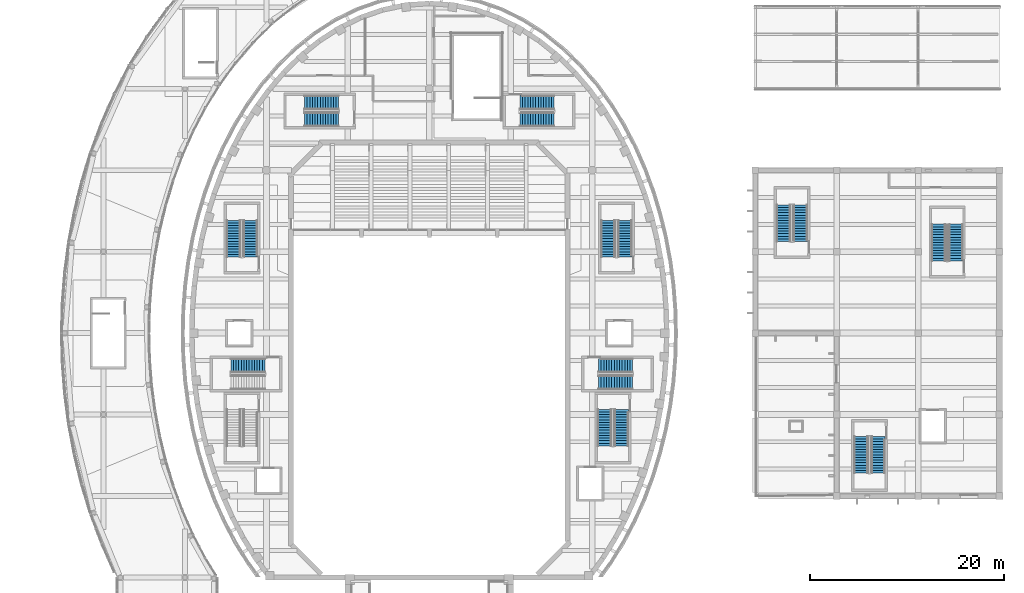
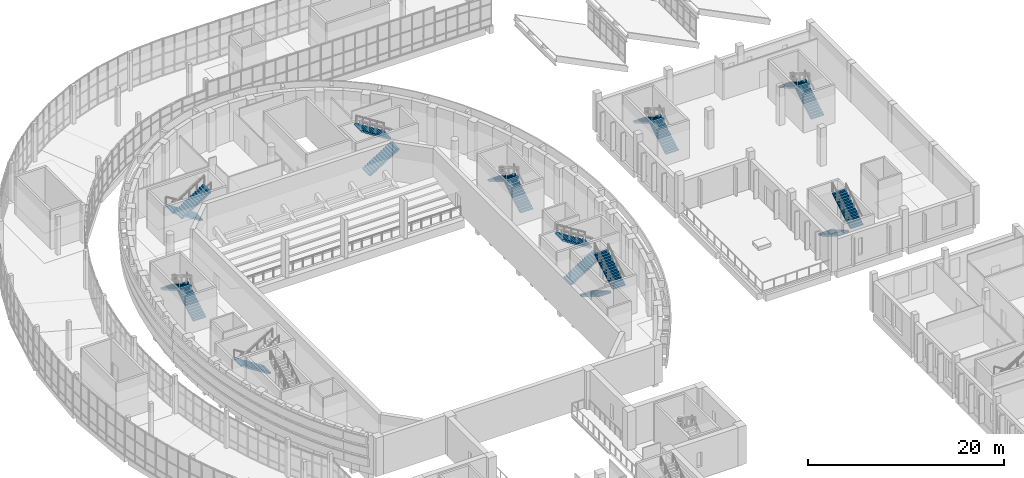
# One storey, part 65 of 103: 19 stair flights, 10 elements without a shape of their own.
"""IFC4 building model written with IfcOpenShell, lengths in metres."""

from ifc_helpers import new_model, si_unit, direction, frame, origin, place, context, subcontext, project, spatial, polyline, outline, extrude, material, type_object, element, aggregate, save


model = new_model("IFC4")

# Units and contexts
model_context = context("Model", 3, precision=1e-05, world=origin(), true_north=direction((0.0, 1.0)))
body_context = subcontext(model_context, "Body", "Model", "MODEL_VIEW")
ifc_project = project(units=[si_unit("LENGTHUNIT", "METRE"), si_unit("AREAUNIT", "SQUARE_METRE"), si_unit("VOLUMEUNIT", "CUBIC_METRE"), si_unit("PLANEANGLEUNIT", "RADIAN"), si_unit("MASSUNIT", "GRAM", prefix="KILO")], contexts=[model_context])

# Site, building, storey
site_placement = place(None, origin())
site = spatial("IfcSite", under=ifc_project, at=site_placement, CompositionType="ELEMENT")
building_placement = place(site_placement, origin())
building = spatial("IfcBuilding", under=site, at=building_placement, Name="Larchfold Concert Hall", CompositionType="ELEMENT")
storey_placement = place(building_placement, frame((0.0, 0.0, 9.60009765625)))
storey = spatial("IfcBuildingStorey", under=building, at=storey_placement, Name="L02", CompositionType="ELEMENT", Elevation=9.60009765625)

# Stair, stair flights
ifc_material_1 = material(Name="Concrete C35/45", Category="concrete")
stair_type = type_object("IfcStairType", Name="Stair RC half-turn enclosed", PredefinedType="HALF_TURN_STAIR", material=ifc_material_1)
stair_1_placement = place(storey_placement, origin())
stair_1 = element("IfcStair", 1, at=stair_1_placement, inside=storey, type_object=stair_type, Name="Stair DS1", PredefinedType="HALF_TURN_STAIR")
ifc_material_2 = material(Name="Concrete C35/45", Category="concrete")
stair_flight_type_1 = type_object("IfcStairFlightType", Name="Stair flight RC 1500 x 160.0", PredefinedType="STRAIGHT", material=ifc_material_2)
stair_flight_1_placement = place(storey_placement, frame((62.75, 92.449951171875, 0.0), z_axis=(0.0, 0.0, 1.0), x_axis=(0.0, 1.0, 0.0)))
stair_flight_1 = element("IfcStairFlight", 2, at=stair_flight_1_placement, type_object=stair_flight_type_1, Name="ST01 flight 1", NumberOfRisers=15, NumberOfTreads=14, PredefinedType="STRAIGHT", RiserHeight=0.16, TreadLength=0.27, context=body_context, shape_type="SweptSolid", body=[
    extrude(outline(polyline([(0.0, 0.0), (0.0, 0.159912109375), (0.27001953125, 0.159912109375), (0.27001953125, 0.320068359375), (0.5400390625, 0.320068359375), (0.5400390625, 0.47998046875), (0.81005859375, 0.47998046875), (0.81005859375, 0.639892578125), (1.080078125, 0.639892578125), (1.080078125, 0.800048828125), (1.35009765625, 0.800048828125), (1.35009765625, 0.9599609375), (1.6201171875, 0.9599609375), (1.6201171875, 1.1201171875), (1.889892578125, 1.1201171875), (1.889892578125, 1.280029296875), (2.159912109375, 1.280029296875), (2.159912109375, 1.43994140625), (2.429931640625, 1.43994140625), (2.429931640625, 1.60009765625), (2.699951171875, 1.60009765625), (2.699951171875, 1.760009765625), (2.969970703125, 1.760009765625), (2.969970703125, 1.919921875), (3.239990234375, 1.919921875), (3.239990234375, 2.080078125), (3.510009765625, 2.080078125), (3.510009765625, 2.239990234375), (3.780029296875, 2.239990234375), (3.780029296875, 2.39990234375), (3.780029296875, 2.065673828125), (0.2939453125, 0.0), (0.0, 0.0)])), frame((0.0, 0.75, 0.0), z_axis=(0.0, -1.0, 0.0), x_axis=(1.0, 0.0, 0.0)), (0.0, 0.0, 1.0), 1.5),
])
stair_flight_2_placement = place(storey_placement, frame((61.050048828125, 96.22998046875, 2.39990234375), z_axis=(0.0, 0.0, 1.0), x_axis=(0.0, -1.0, 0.0)))
stair_flight_2 = element("IfcStairFlight", 3, at=stair_flight_2_placement, type_object=stair_flight_type_1, Name="ST01 flight 2", NumberOfRisers=15, NumberOfTreads=14, PredefinedType="STRAIGHT", RiserHeight=0.16, TreadLength=0.27, context=body_context, shape_type="SweptSolid", body=[
    extrude(outline(polyline([(0.0, 0.0), (0.0, 0.159912109375), (0.27001953125, 0.159912109375), (0.27001953125, 0.320068359375), (0.5400390625, 0.320068359375), (0.5400390625, 0.47998046875), (0.81005859375, 0.47998046875), (0.81005859375, 0.639892578125), (1.080078125, 0.639892578125), (1.080078125, 0.800048828125), (1.35009765625, 0.800048828125), (1.35009765625, 0.9599609375), (1.6201171875, 0.9599609375), (1.6201171875, 1.1201171875), (1.889892578125, 1.1201171875), (1.889892578125, 1.280029296875), (2.159912109375, 1.280029296875), (2.159912109375, 1.43994140625), (2.429931640625, 1.43994140625), (2.429931640625, 1.60009765625), (2.699951171875, 1.60009765625), (2.699951171875, 1.760009765625), (2.969970703125, 1.760009765625), (2.969970703125, 1.919921875), (3.239990234375, 1.919921875), (3.239990234375, 2.080078125), (3.510009765625, 2.080078125), (3.510009765625, 2.239990234375), (3.780029296875, 2.239990234375), (3.780029296875, 2.39990234375), (3.780029296875, 2.065673828125), (0.2939453125, 0.0), (0.0, 0.0)])), frame((0.0, 0.75, 0.0), z_axis=(0.0, -1.0, 0.0), x_axis=(1.0, 0.0, 0.0)), (0.0, 0.0, 1.0), 1.5),
])
aggregate(stair_1, [stair_flight_1, stair_flight_2])

stair_2_placement = place(storey_placement, origin())
stair_2 = element("IfcStair", 4, at=stair_2_placement, inside=storey, type_object=stair_type, Name="Stair DS4", PredefinedType="HALF_TURN_STAIR")
stair_flight_3_placement = place(storey_placement, frame((24.14990234375, 92.449951171875, 0.0), z_axis=(0.0, 0.0, 1.0), x_axis=(0.0, 1.0, 0.0)))
stair_flight_3 = element("IfcStairFlight", 5, at=stair_flight_3_placement, type_object=stair_flight_type_1, Name="ST04 flight 1", NumberOfRisers=15, NumberOfTreads=14, PredefinedType="STRAIGHT", RiserHeight=0.16, TreadLength=0.27, context=body_context, shape_type="SweptSolid", body=[
    extrude(outline(polyline([(0.0, 0.0), (0.0, 0.159912109375), (0.27001953125, 0.159912109375), (0.27001953125, 0.320068359375), (0.5400390625, 0.320068359375), (0.5400390625, 0.47998046875), (0.81005859375, 0.47998046875), (0.81005859375, 0.639892578125), (1.080078125, 0.639892578125), (1.080078125, 0.800048828125), (1.35009765625, 0.800048828125), (1.35009765625, 0.9599609375), (1.6201171875, 0.9599609375), (1.6201171875, 1.1201171875), (1.889892578125, 1.1201171875), (1.889892578125, 1.280029296875), (2.159912109375, 1.280029296875), (2.159912109375, 1.43994140625), (2.429931640625, 1.43994140625), (2.429931640625, 1.60009765625), (2.699951171875, 1.60009765625), (2.699951171875, 1.760009765625), (2.969970703125, 1.760009765625), (2.969970703125, 1.919921875), (3.239990234375, 1.919921875), (3.239990234375, 2.080078125), (3.510009765625, 2.080078125), (3.510009765625, 2.239990234375), (3.780029296875, 2.239990234375), (3.780029296875, 2.39990234375), (3.780029296875, 2.065673828125), (0.2939453125, 0.0), (0.0, 0.0)])), frame((0.0, 0.75, 0.0), z_axis=(0.0, -1.0, 0.0), x_axis=(1.0, 0.0, 0.0)), (0.0, 0.0, 1.0), 1.5),
])
stair_flight_4_placement = place(storey_placement, frame((22.449951171875, 96.22998046875, 2.39990234375), z_axis=(0.0, 0.0, 1.0), x_axis=(0.0, -1.0, 0.0)))
stair_flight_4 = element("IfcStairFlight", 6, at=stair_flight_4_placement, type_object=stair_flight_type_1, Name="ST04 flight 2", NumberOfRisers=15, NumberOfTreads=14, PredefinedType="STRAIGHT", RiserHeight=0.16, TreadLength=0.27, context=body_context, shape_type="SweptSolid", body=[
    extrude(outline(polyline([(0.0, 0.0), (0.0, 0.159912109375), (0.27001953125, 0.159912109375), (0.27001953125, 0.320068359375), (0.5400390625, 0.320068359375), (0.5400390625, 0.47998046875), (0.81005859375, 0.47998046875), (0.81005859375, 0.639892578125), (1.080078125, 0.639892578125), (1.080078125, 0.800048828125), (1.35009765625, 0.800048828125), (1.35009765625, 0.9599609375), (1.6201171875, 0.9599609375), (1.6201171875, 1.1201171875), (1.889892578125, 1.1201171875), (1.889892578125, 1.280029296875), (2.159912109375, 1.280029296875), (2.159912109375, 1.43994140625), (2.429931640625, 1.43994140625), (2.429931640625, 1.60009765625), (2.699951171875, 1.60009765625), (2.699951171875, 1.760009765625), (2.969970703125, 1.760009765625), (2.969970703125, 1.919921875), (3.239990234375, 1.919921875), (3.239990234375, 2.080078125), (3.510009765625, 2.080078125), (3.510009765625, 2.239990234375), (3.780029296875, 2.239990234375), (3.780029296875, 2.39990234375), (3.780029296875, 2.065673828125), (0.2939453125, 0.0), (0.0, 0.0)])), frame((0.0, 0.75, 0.0), z_axis=(0.0, -1.0, 0.0), x_axis=(1.0, 0.0, 0.0)), (0.0, 0.0, 1.0), 1.5),
])
aggregate(stair_2, [stair_flight_3, stair_flight_4])

stair_3_placement = place(storey_placement, origin())
stair_3 = element("IfcStair", 7, at=stair_3_placement, inside=storey, type_object=stair_type, Name="Stair DS6", PredefinedType="HALF_TURN_STAIR")
stair_flight_5_placement = place(storey_placement, frame((60.699951171875, 76.75, 0.0), z_axis=(0.0, 0.0, 1.0), x_axis=(0.0, -1.0, 0.0)))
stair_flight_5 = element("IfcStairFlight", 8, at=stair_flight_5_placement, type_object=stair_flight_type_1, Name="ST06 flight 1", NumberOfRisers=15, NumberOfTreads=14, PredefinedType="STRAIGHT", RiserHeight=0.16, TreadLength=0.27, context=body_context, shape_type="SweptSolid", body=[
    extrude(outline(polyline([(0.0, 0.0), (0.0, 0.159912109375), (0.27001953125, 0.159912109375), (0.27001953125, 0.320068359375), (0.5400390625, 0.320068359375), (0.5400390625, 0.47998046875), (0.81005859375, 0.47998046875), (0.81005859375, 0.639892578125), (1.080078125, 0.639892578125), (1.080078125, 0.800048828125), (1.35009765625, 0.800048828125), (1.35009765625, 0.9599609375), (1.6201171875, 0.9599609375), (1.6201171875, 1.1201171875), (1.889892578125, 1.1201171875), (1.889892578125, 1.280029296875), (2.159912109375, 1.280029296875), (2.159912109375, 1.43994140625), (2.429931640625, 1.43994140625), (2.429931640625, 1.60009765625), (2.699951171875, 1.60009765625), (2.699951171875, 1.760009765625), (2.969970703125, 1.760009765625), (2.969970703125, 1.919921875), (3.239990234375, 1.919921875), (3.239990234375, 2.080078125), (3.510009765625, 2.080078125), (3.510009765625, 2.239990234375), (3.780029296875, 2.239990234375), (3.780029296875, 2.39990234375), (3.780029296875, 2.065673828125), (0.2939453125, 0.0), (0.0, 0.0)])), frame((0.0, 0.75, 0.0), z_axis=(0.0, -1.0, 0.0), x_axis=(1.0, 0.0, 0.0)), (0.0, 0.0, 1.0), 1.5),
])
stair_flight_6_placement = place(storey_placement, frame((62.39990234375, 72.969970703125, 2.39990234375), z_axis=(0.0, 0.0, 1.0), x_axis=(0.0, 1.0, 0.0)))
stair_flight_6 = element("IfcStairFlight", 9, at=stair_flight_6_placement, type_object=stair_flight_type_1, Name="ST06 flight 2", NumberOfRisers=15, NumberOfTreads=14, PredefinedType="STRAIGHT", RiserHeight=0.16, TreadLength=0.27, context=body_context, shape_type="SweptSolid", body=[
    extrude(outline(polyline([(0.0, 0.0), (0.0, 0.159912109375), (0.27001953125, 0.159912109375), (0.27001953125, 0.320068359375), (0.5400390625, 0.320068359375), (0.5400390625, 0.47998046875), (0.81005859375, 0.47998046875), (0.81005859375, 0.639892578125), (1.080078125, 0.639892578125), (1.080078125, 0.800048828125), (1.35009765625, 0.800048828125), (1.35009765625, 0.9599609375), (1.6201171875, 0.9599609375), (1.6201171875, 1.1201171875), (1.889892578125, 1.1201171875), (1.889892578125, 1.280029296875), (2.159912109375, 1.280029296875), (2.159912109375, 1.43994140625), (2.429931640625, 1.43994140625), (2.429931640625, 1.60009765625), (2.699951171875, 1.60009765625), (2.699951171875, 1.760009765625), (2.969970703125, 1.760009765625), (2.969970703125, 1.919921875), (3.239990234375, 1.919921875), (3.239990234375, 2.080078125), (3.510009765625, 2.080078125), (3.510009765625, 2.239990234375), (3.780029296875, 2.239990234375), (3.780029296875, 2.39990234375), (3.780029296875, 2.065673828125), (0.2939453125, 0.0), (0.0, 0.0)])), frame((0.0, 0.75, 0.0), z_axis=(0.0, -1.0, 0.0), x_axis=(1.0, 0.0, 0.0)), (0.0, 0.0, 1.0), 1.5),
])
aggregate(stair_3, [stair_flight_5, stair_flight_6])

stair_4_placement = place(storey_placement, origin())
stair_4 = element("IfcStair", 10, at=stair_4_placement, inside=storey, type_object=stair_type, Name="Stair CH1", PredefinedType="HALF_TURN_STAIR")
stair_flight_7_placement = place(storey_placement, frame((87.14990234375, 73.949951171875, 0.0), z_axis=(0.0, 0.0, 1.0), x_axis=(0.0, -1.0, 0.0)))
stair_flight_7 = element("IfcStairFlight", 11, at=stair_flight_7_placement, type_object=stair_flight_type_1, Name="ST16 flight 1", NumberOfRisers=15, NumberOfTreads=14, PredefinedType="STRAIGHT", RiserHeight=0.16, TreadLength=0.27, context=body_context, shape_type="SweptSolid", body=[
    extrude(outline(polyline([(0.0, 0.0), (0.0, 0.159912109375), (0.27001953125, 0.159912109375), (0.27001953125, 0.320068359375), (0.5400390625, 0.320068359375), (0.5400390625, 0.47998046875), (0.81005859375, 0.47998046875), (0.81005859375, 0.639892578125), (1.080078125, 0.639892578125), (1.080078125, 0.800048828125), (1.35009765625, 0.800048828125), (1.35009765625, 0.9599609375), (1.6201171875, 0.9599609375), (1.6201171875, 1.1201171875), (1.889892578125, 1.1201171875), (1.889892578125, 1.280029296875), (2.159912109375, 1.280029296875), (2.159912109375, 1.43994140625), (2.429931640625, 1.43994140625), (2.429931640625, 1.60009765625), (2.699951171875, 1.60009765625), (2.699951171875, 1.760009765625), (2.969970703125, 1.760009765625), (2.969970703125, 1.919921875), (3.239990234375, 1.919921875), (3.239990234375, 2.080078125), (3.510009765625, 2.080078125), (3.510009765625, 2.239990234375), (3.780029296875, 2.239990234375), (3.780029296875, 2.39990234375), (3.780029296875, 2.065673828125), (0.2939453125, 0.0), (0.0, 0.0)])), frame((0.0, 0.75, 0.0), z_axis=(0.0, -1.0, 0.0), x_axis=(1.0, 0.0, 0.0)), (0.0, 0.0, 1.0), 1.5),
])
stair_flight_8_placement = place(storey_placement, frame((88.849853515625, 70.169921875, 2.39990234375), z_axis=(0.0, 0.0, 1.0), x_axis=(0.0, 1.0, 0.0)))
stair_flight_8 = element("IfcStairFlight", 12, at=stair_flight_8_placement, type_object=stair_flight_type_1, Name="ST16 flight 2", NumberOfRisers=15, NumberOfTreads=14, PredefinedType="STRAIGHT", RiserHeight=0.16, TreadLength=0.27, context=body_context, shape_type="SweptSolid", body=[
    extrude(outline(polyline([(0.0, 0.0), (0.0, 0.159912109375), (0.27001953125, 0.159912109375), (0.27001953125, 0.320068359375), (0.5400390625, 0.320068359375), (0.5400390625, 0.47998046875), (0.81005859375, 0.47998046875), (0.81005859375, 0.639892578125), (1.080078125, 0.639892578125), (1.080078125, 0.800048828125), (1.35009765625, 0.800048828125), (1.35009765625, 0.9599609375), (1.6201171875, 0.9599609375), (1.6201171875, 1.1201171875), (1.889892578125, 1.1201171875), (1.889892578125, 1.280029296875), (2.159912109375, 1.280029296875), (2.159912109375, 1.43994140625), (2.429931640625, 1.43994140625), (2.429931640625, 1.60009765625), (2.699951171875, 1.60009765625), (2.699951171875, 1.760009765625), (2.969970703125, 1.760009765625), (2.969970703125, 1.919921875), (3.239990234375, 1.919921875), (3.239990234375, 2.080078125), (3.510009765625, 2.080078125), (3.510009765625, 2.239990234375), (3.780029296875, 2.239990234375), (3.780029296875, 2.39990234375), (3.780029296875, 2.065673828125), (0.2939453125, 0.0), (0.0, 0.0)])), frame((0.0, 0.75, 0.0), z_axis=(0.0, -1.0, 0.0), x_axis=(1.0, 0.0, 0.0)), (0.0, 0.0, 1.0), 1.5),
])
aggregate(stair_4, [stair_flight_7, stair_flight_8])

stair_5_placement = place(storey_placement, origin())
stair_5 = element("IfcStair", 13, at=stair_5_placement, inside=storey, type_object=stair_type, Name="Stair CH2", PredefinedType="HALF_TURN_STAIR")
stair_flight_9_placement = place(storey_placement, frame((80.85009765625, 94.050048828125, 0.0), z_axis=(0.0, 0.0, 1.0), x_axis=(0.0, 1.0, 0.0)))
stair_flight_9 = element("IfcStairFlight", 14, at=stair_flight_9_placement, type_object=stair_flight_type_1, Name="ST17 flight 1", NumberOfRisers=15, NumberOfTreads=14, PredefinedType="STRAIGHT", RiserHeight=0.16, TreadLength=0.27, context=body_context, shape_type="SweptSolid", body=[
    extrude(outline(polyline([(0.0, 0.0), (0.0, 0.159912109375), (0.27001953125, 0.159912109375), (0.27001953125, 0.320068359375), (0.5400390625, 0.320068359375), (0.5400390625, 0.47998046875), (0.81005859375, 0.47998046875), (0.81005859375, 0.639892578125), (1.080078125, 0.639892578125), (1.080078125, 0.800048828125), (1.35009765625, 0.800048828125), (1.35009765625, 0.9599609375), (1.6201171875, 0.9599609375), (1.6201171875, 1.1201171875), (1.889892578125, 1.1201171875), (1.889892578125, 1.280029296875), (2.159912109375, 1.280029296875), (2.159912109375, 1.43994140625), (2.429931640625, 1.43994140625), (2.429931640625, 1.60009765625), (2.699951171875, 1.60009765625), (2.699951171875, 1.760009765625), (2.969970703125, 1.760009765625), (2.969970703125, 1.919921875), (3.239990234375, 1.919921875), (3.239990234375, 2.080078125), (3.510009765625, 2.080078125), (3.510009765625, 2.239990234375), (3.780029296875, 2.239990234375), (3.780029296875, 2.39990234375), (3.780029296875, 2.065673828125), (0.2939453125, 0.0), (0.0, 0.0)])), frame((0.0, 0.75, 0.0), z_axis=(0.0, -1.0, 0.0), x_axis=(1.0, 0.0, 0.0)), (0.0, 0.0, 1.0), 1.5),
])
stair_flight_10_placement = place(storey_placement, frame((79.150146484375, 97.830078125, 2.39990234375), z_axis=(0.0, 0.0, 1.0), x_axis=(0.0, -1.0, 0.0)))
stair_flight_10 = element("IfcStairFlight", 15, at=stair_flight_10_placement, type_object=stair_flight_type_1, Name="ST17 flight 2", NumberOfRisers=15, NumberOfTreads=14, PredefinedType="STRAIGHT", RiserHeight=0.16, TreadLength=0.27, context=body_context, shape_type="SweptSolid", body=[
    extrude(outline(polyline([(0.0, 0.0), (0.0, 0.159912109375), (0.27001953125, 0.159912109375), (0.27001953125, 0.320068359375), (0.5400390625, 0.320068359375), (0.5400390625, 0.47998046875), (0.81005859375, 0.47998046875), (0.81005859375, 0.639892578125), (1.080078125, 0.639892578125), (1.080078125, 0.800048828125), (1.35009765625, 0.800048828125), (1.35009765625, 0.9599609375), (1.6201171875, 0.9599609375), (1.6201171875, 1.1201171875), (1.889892578125, 1.1201171875), (1.889892578125, 1.280029296875), (2.159912109375, 1.280029296875), (2.159912109375, 1.43994140625), (2.429931640625, 1.43994140625), (2.429931640625, 1.60009765625), (2.699951171875, 1.60009765625), (2.699951171875, 1.760009765625), (2.969970703125, 1.760009765625), (2.969970703125, 1.919921875), (3.239990234375, 1.919921875), (3.239990234375, 2.080078125), (3.510009765625, 2.080078125), (3.510009765625, 2.239990234375), (3.780029296875, 2.239990234375), (3.780029296875, 2.39990234375), (3.780029296875, 2.065673828125), (0.2939453125, 0.0), (0.0, 0.0)])), frame((0.0, 0.75, 0.0), z_axis=(0.0, -1.0, 0.0), x_axis=(1.0, 0.0, 0.0)), (0.0, 0.0, 1.0), 1.5),
])
aggregate(stair_5, [stair_flight_9, stair_flight_10])

stair_6_placement = place(storey_placement, origin())
stair_6 = element("IfcStair", 16, at=stair_6_placement, inside=storey, type_object=stair_type, Name="Stair CH3", PredefinedType="HALF_TURN_STAIR")
stair_flight_11_placement = place(storey_placement, frame((96.85009765625, 92.050048828125, 0.0), z_axis=(0.0, 0.0, 1.0), x_axis=(0.0, 1.0, 0.0)))
stair_flight_11 = element("IfcStairFlight", 17, at=stair_flight_11_placement, type_object=stair_flight_type_1, Name="ST18 flight 1", NumberOfRisers=15, NumberOfTreads=14, PredefinedType="STRAIGHT", RiserHeight=0.16, TreadLength=0.27, context=body_context, shape_type="SweptSolid", body=[
    extrude(outline(polyline([(0.0, 0.0), (0.0, 0.159912109375), (0.27001953125, 0.159912109375), (0.27001953125, 0.320068359375), (0.5400390625, 0.320068359375), (0.5400390625, 0.47998046875), (0.81005859375, 0.47998046875), (0.81005859375, 0.639892578125), (1.080078125, 0.639892578125), (1.080078125, 0.800048828125), (1.35009765625, 0.800048828125), (1.35009765625, 0.9599609375), (1.6201171875, 0.9599609375), (1.6201171875, 1.1201171875), (1.889892578125, 1.1201171875), (1.889892578125, 1.280029296875), (2.159912109375, 1.280029296875), (2.159912109375, 1.43994140625), (2.429931640625, 1.43994140625), (2.429931640625, 1.60009765625), (2.699951171875, 1.60009765625), (2.699951171875, 1.760009765625), (2.969970703125, 1.760009765625), (2.969970703125, 1.919921875), (3.239990234375, 1.919921875), (3.239990234375, 2.080078125), (3.510009765625, 2.080078125), (3.510009765625, 2.239990234375), (3.780029296875, 2.239990234375), (3.780029296875, 2.39990234375), (3.780029296875, 2.065673828125), (0.2939453125, 0.0), (0.0, 0.0)])), frame((0.0, 0.75, 0.0), z_axis=(0.0, -1.0, 0.0), x_axis=(1.0, 0.0, 0.0)), (0.0, 0.0, 1.0), 1.5),
])
stair_flight_12_placement = place(storey_placement, frame((95.150146484375, 95.830078125, 2.39990234375), z_axis=(0.0, 0.0, 1.0), x_axis=(0.0, -1.0, 0.0)))
stair_flight_12 = element("IfcStairFlight", 18, at=stair_flight_12_placement, type_object=stair_flight_type_1, Name="ST18 flight 2", NumberOfRisers=15, NumberOfTreads=14, PredefinedType="STRAIGHT", RiserHeight=0.16, TreadLength=0.27, context=body_context, shape_type="SweptSolid", body=[
    extrude(outline(polyline([(0.0, 0.0), (0.0, 0.159912109375), (0.27001953125, 0.159912109375), (0.27001953125, 0.320068359375), (0.5400390625, 0.320068359375), (0.5400390625, 0.47998046875), (0.81005859375, 0.47998046875), (0.81005859375, 0.639892578125), (1.080078125, 0.639892578125), (1.080078125, 0.800048828125), (1.35009765625, 0.800048828125), (1.35009765625, 0.9599609375), (1.6201171875, 0.9599609375), (1.6201171875, 1.1201171875), (1.889892578125, 1.1201171875), (1.889892578125, 1.280029296875), (2.159912109375, 1.280029296875), (2.159912109375, 1.43994140625), (2.429931640625, 1.43994140625), (2.429931640625, 1.60009765625), (2.699951171875, 1.60009765625), (2.699951171875, 1.760009765625), (2.969970703125, 1.760009765625), (2.969970703125, 1.919921875), (3.239990234375, 1.919921875), (3.239990234375, 2.080078125), (3.510009765625, 2.080078125), (3.510009765625, 2.239990234375), (3.780029296875, 2.239990234375), (3.780029296875, 2.39990234375), (3.780029296875, 2.065673828125), (0.2939453125, 0.0), (0.0, 0.0)])), frame((0.0, 0.75, 0.0), z_axis=(0.0, -1.0, 0.0), x_axis=(1.0, 0.0, 0.0)), (0.0, 0.0, 1.0), 1.5),
])
aggregate(stair_6, [stair_flight_11, stair_flight_12])

stair_7_placement = place(storey_placement, origin())
stair_7 = element("IfcStair", 19, at=stair_7_placement, inside=storey, type_object=stair_type, Name="Stair DS2", PredefinedType="HALF_TURN_STAIR")
ifc_material_3 = material(Name="Concrete C35/45", Category="concrete")
stair_flight_type_2 = type_object("IfcStairFlightType", Name="Stair flight RC 1500 x 171.4", PredefinedType="STRAIGHT", material=ifc_material_3)
stair_flight_13_placement = place(storey_placement, frame((51.949951171875, 106.64990234375, 0.0), z_axis=(0.0, 0.0, 1.0), x_axis=(1.0, 0.0, 0.0)))
stair_flight_13 = element("IfcStairFlight", 20, at=stair_flight_13_placement, type_object=stair_flight_type_2, Name="ST02 flight 1", NumberOfRisers=14, NumberOfTreads=13, PredefinedType="STRAIGHT", RiserHeight=0.171428571, TreadLength=0.27, context=body_context, shape_type="SweptSolid", body=[
    extrude(outline(polyline([(0.0, 0.0), (0.0, 0.17138671875), (0.27001953125, 0.17138671875), (0.27001953125, 0.3427734375), (0.5400390625, 0.3427734375), (0.5400390625, 0.514404296875), (0.81005859375, 0.514404296875), (0.81005859375, 0.685791015625), (1.080078125, 0.685791015625), (1.080078125, 0.857177734375), (1.35009765625, 0.857177734375), (1.35009765625, 1.028564453125), (1.6201171875, 1.028564453125), (1.6201171875, 1.199951171875), (1.889892578125, 1.199951171875), (1.889892578125, 1.371337890625), (2.159912109375, 1.371337890625), (2.159912109375, 1.54296875), (2.429931640625, 1.54296875), (2.429931640625, 1.71435546875), (2.699951171875, 1.71435546875), (2.699951171875, 1.8857421875), (2.969970703125, 1.8857421875), (2.969970703125, 2.05712890625), (3.239990234375, 2.05712890625), (3.239990234375, 2.228515625), (3.510009765625, 2.228515625), (3.510009765625, 2.39990234375), (3.510009765625, 2.051025390625), (0.27978515625, 0.0), (0.0, 0.0)])), frame((0.0, 0.75, 0.0), z_axis=(0.0, -1.0, 0.0), x_axis=(1.0, 0.0, 0.0)), (0.0, 0.0, 1.0), 1.5),
])
stair_flight_14_placement = place(storey_placement, frame((55.4599609375, 108.349853515625, 2.39990234375), z_axis=(0.0, 0.0, 1.0), x_axis=(-1.0, 0.0, 0.0)))
stair_flight_14 = element("IfcStairFlight", 21, at=stair_flight_14_placement, type_object=stair_flight_type_2, Name="ST02 flight 2", NumberOfRisers=14, NumberOfTreads=13, PredefinedType="STRAIGHT", RiserHeight=0.171428571, TreadLength=0.27, context=body_context, shape_type="SweptSolid", body=[
    extrude(outline(polyline([(0.0, 0.0), (0.0, 0.17138671875), (0.27001953125, 0.17138671875), (0.27001953125, 0.3427734375), (0.5400390625, 0.3427734375), (0.5400390625, 0.514404296875), (0.81005859375, 0.514404296875), (0.81005859375, 0.685791015625), (1.080078125, 0.685791015625), (1.080078125, 0.857177734375), (1.35009765625, 0.857177734375), (1.35009765625, 1.028564453125), (1.6201171875, 1.028564453125), (1.6201171875, 1.199951171875), (1.889892578125, 1.199951171875), (1.889892578125, 1.371337890625), (2.159912109375, 1.371337890625), (2.159912109375, 1.54296875), (2.429931640625, 1.54296875), (2.429931640625, 1.71435546875), (2.699951171875, 1.71435546875), (2.699951171875, 1.8857421875), (2.969970703125, 1.8857421875), (2.969970703125, 2.05712890625), (3.239990234375, 2.05712890625), (3.239990234375, 2.228515625), (3.510009765625, 2.228515625), (3.510009765625, 2.39990234375), (3.510009765625, 2.051025390625), (0.27978515625, 0.0), (0.0, 0.0)])), frame((0.0, 0.75, 0.0), z_axis=(0.0, -1.0, 0.0), x_axis=(1.0, 0.0, 0.0)), (0.0, 0.0, 1.0), 1.5),
])
aggregate(stair_7, [stair_flight_13, stair_flight_14])

stair_8_placement = place(storey_placement, origin())
stair_8 = element("IfcStair", 22, at=stair_8_placement, inside=storey, type_object=stair_type, Name="Stair DS3", PredefinedType="HALF_TURN_STAIR")
stair_flight_15_placement = place(storey_placement, frame((33.25, 108.35009765625, 0.0), z_axis=(0.0, 0.0, 1.0), x_axis=(-1.0, 0.0, 0.0)))
stair_flight_15 = element("IfcStairFlight", 23, at=stair_flight_15_placement, type_object=stair_flight_type_2, Name="ST03 flight 1", NumberOfRisers=14, NumberOfTreads=13, PredefinedType="STRAIGHT", RiserHeight=0.171428571, TreadLength=0.27, context=body_context, shape_type="SweptSolid", body=[
    extrude(outline(polyline([(0.0, 0.0), (0.0, 0.17138671875), (0.27001953125, 0.17138671875), (0.27001953125, 0.3427734375), (0.5400390625, 0.3427734375), (0.5400390625, 0.514404296875), (0.81005859375, 0.514404296875), (0.81005859375, 0.685791015625), (1.080078125, 0.685791015625), (1.080078125, 0.857177734375), (1.35009765625, 0.857177734375), (1.35009765625, 1.028564453125), (1.6201171875, 1.028564453125), (1.6201171875, 1.199951171875), (1.889892578125, 1.199951171875), (1.889892578125, 1.371337890625), (2.159912109375, 1.371337890625), (2.159912109375, 1.54296875), (2.429931640625, 1.54296875), (2.429931640625, 1.71435546875), (2.699951171875, 1.71435546875), (2.699951171875, 1.8857421875), (2.969970703125, 1.8857421875), (2.969970703125, 2.05712890625), (3.239990234375, 2.05712890625), (3.239990234375, 2.228515625), (3.510009765625, 2.228515625), (3.510009765625, 2.39990234375), (3.510009765625, 2.051025390625), (0.27978515625, 0.0), (0.0, 0.0)])), frame((0.0, 0.75, 0.0), z_axis=(0.0, -1.0, 0.0), x_axis=(1.0, 0.0, 0.0)), (0.0, 0.0, 1.0), 1.5),
])
stair_flight_16_placement = place(storey_placement, frame((29.739990234375, 106.650146484375, 2.39990234375), z_axis=(0.0, 0.0, 1.0), x_axis=(1.0, 0.0, 0.0)))
stair_flight_16 = element("IfcStairFlight", 24, at=stair_flight_16_placement, type_object=stair_flight_type_2, Name="ST03 flight 2", NumberOfRisers=14, NumberOfTreads=13, PredefinedType="STRAIGHT", RiserHeight=0.171428571, TreadLength=0.27, context=body_context, shape_type="SweptSolid", body=[
    extrude(outline(polyline([(0.0, 0.0), (0.0, 0.17138671875), (0.27001953125, 0.17138671875), (0.27001953125, 0.3427734375), (0.5400390625, 0.3427734375), (0.5400390625, 0.514404296875), (0.81005859375, 0.514404296875), (0.81005859375, 0.685791015625), (1.080078125, 0.685791015625), (1.080078125, 0.857177734375), (1.35009765625, 0.857177734375), (1.35009765625, 1.028564453125), (1.6201171875, 1.028564453125), (1.6201171875, 1.199951171875), (1.889892578125, 1.199951171875), (1.889892578125, 1.371337890625), (2.159912109375, 1.371337890625), (2.159912109375, 1.54296875), (2.429931640625, 1.54296875), (2.429931640625, 1.71435546875), (2.699951171875, 1.71435546875), (2.699951171875, 1.8857421875), (2.969970703125, 1.8857421875), (2.969970703125, 2.05712890625), (3.239990234375, 2.05712890625), (3.239990234375, 2.228515625), (3.510009765625, 2.228515625), (3.510009765625, 2.39990234375), (3.510009765625, 2.051025390625), (0.27978515625, 0.0), (0.0, 0.0)])), frame((0.0, 0.75, 0.0), z_axis=(0.0, -1.0, 0.0), x_axis=(1.0, 0.0, 0.0)), (0.0, 0.0, 1.0), 1.5),
])
aggregate(stair_8, [stair_flight_15, stair_flight_16])

# Stair, stair flight
stair_9_placement = place(storey_placement, origin())
stair_9 = element("IfcStair", 25, at=stair_9_placement, inside=storey, type_object=stair_type, Name="Stair DS7", PredefinedType="HALF_TURN_STAIR")
stair_flight_17_placement = place(storey_placement, frame((25.64990234375, 81.25, 0.0), z_axis=(0.0, 0.0, 1.0), x_axis=(-1.0, 0.0, 0.0)))
stair_flight_17 = element("IfcStairFlight", 26, at=stair_flight_17_placement, type_object=stair_flight_type_2, Name="ST07 flight 1", NumberOfRisers=14, NumberOfTreads=13, PredefinedType="STRAIGHT", RiserHeight=0.171428571, TreadLength=0.27, context=body_context, shape_type="SweptSolid", body=[
    extrude(outline(polyline([(0.0, 0.0), (0.0, 0.17138671875), (0.27001953125, 0.17138671875), (0.27001953125, 0.3427734375), (0.5400390625, 0.3427734375), (0.5400390625, 0.514404296875), (0.81005859375, 0.514404296875), (0.81005859375, 0.685791015625), (1.080078125, 0.685791015625), (1.080078125, 0.857177734375), (1.35009765625, 0.857177734375), (1.35009765625, 1.028564453125), (1.6201171875, 1.028564453125), (1.6201171875, 1.199951171875), (1.889892578125, 1.199951171875), (1.889892578125, 1.371337890625), (2.159912109375, 1.371337890625), (2.159912109375, 1.54296875), (2.429931640625, 1.54296875), (2.429931640625, 1.71435546875), (2.699951171875, 1.71435546875), (2.699951171875, 1.8857421875), (2.969970703125, 1.8857421875), (2.969970703125, 2.05712890625), (3.239990234375, 2.05712890625), (3.239990234375, 2.228515625), (3.510009765625, 2.228515625), (3.510009765625, 2.39990234375), (3.510009765625, 2.051025390625), (0.27978515625, 0.0), (0.0, 0.0)])), frame((0.0, 0.75, 0.0), z_axis=(0.0, -1.0, 0.0), x_axis=(1.0, 0.0, 0.0)), (0.0, 0.0, 1.0), 1.5),
])
aggregate(stair_9, [stair_flight_17])

# Stair, stair flights
stair_10_placement = place(storey_placement, origin())
stair_10 = element("IfcStair", 27, at=stair_10_placement, inside=storey, type_object=stair_type, Name="Stair DS8", PredefinedType="HALF_TURN_STAIR")
stair_flight_18_placement = place(storey_placement, frame((60.050048828125, 79.550048828125, 0.0), z_axis=(0.0, 0.0, 1.0), x_axis=(1.0, 0.0, 0.0)))
stair_flight_18 = element("IfcStairFlight", 28, at=stair_flight_18_placement, type_object=stair_flight_type_2, Name="ST08 flight 1", NumberOfRisers=14, NumberOfTreads=13, PredefinedType="STRAIGHT", RiserHeight=0.171428571, TreadLength=0.27, context=body_context, shape_type="SweptSolid", body=[
    extrude(outline(polyline([(0.0, 0.0), (0.0, 0.17138671875), (0.27001953125, 0.17138671875), (0.27001953125, 0.3427734375), (0.5400390625, 0.3427734375), (0.5400390625, 0.514404296875), (0.81005859375, 0.514404296875), (0.81005859375, 0.685791015625), (1.080078125, 0.685791015625), (1.080078125, 0.857177734375), (1.35009765625, 0.857177734375), (1.35009765625, 1.028564453125), (1.6201171875, 1.028564453125), (1.6201171875, 1.199951171875), (1.889892578125, 1.199951171875), (1.889892578125, 1.371337890625), (2.159912109375, 1.371337890625), (2.159912109375, 1.54296875), (2.429931640625, 1.54296875), (2.429931640625, 1.71435546875), (2.699951171875, 1.71435546875), (2.699951171875, 1.8857421875), (2.969970703125, 1.8857421875), (2.969970703125, 2.05712890625), (3.239990234375, 2.05712890625), (3.239990234375, 2.228515625), (3.510009765625, 2.228515625), (3.510009765625, 2.39990234375), (3.510009765625, 2.051025390625), (0.27978515625, 0.0), (0.0, 0.0)])), frame((0.0, 0.75, 0.0), z_axis=(0.0, -1.0, 0.0), x_axis=(1.0, 0.0, 0.0)), (0.0, 0.0, 1.0), 1.5),
])
stair_flight_19_placement = place(storey_placement, frame((63.56005859375, 81.25, 2.39990234375), z_axis=(0.0, 0.0, 1.0), x_axis=(-1.0, 0.0, 0.0)))
stair_flight_19 = element("IfcStairFlight", 29, at=stair_flight_19_placement, type_object=stair_flight_type_2, Name="ST08 flight 2", NumberOfRisers=14, NumberOfTreads=13, PredefinedType="STRAIGHT", RiserHeight=0.171428571, TreadLength=0.27, context=body_context, shape_type="SweptSolid", body=[
    extrude(outline(polyline([(0.0, 0.0), (0.0, 0.17138671875), (0.27001953125, 0.17138671875), (0.27001953125, 0.3427734375), (0.5400390625, 0.3427734375), (0.5400390625, 0.514404296875), (0.81005859375, 0.514404296875), (0.81005859375, 0.685791015625), (1.080078125, 0.685791015625), (1.080078125, 0.857177734375), (1.35009765625, 0.857177734375), (1.35009765625, 1.028564453125), (1.6201171875, 1.028564453125), (1.6201171875, 1.199951171875), (1.889892578125, 1.199951171875), (1.889892578125, 1.371337890625), (2.159912109375, 1.371337890625), (2.159912109375, 1.54296875), (2.429931640625, 1.54296875), (2.429931640625, 1.71435546875), (2.699951171875, 1.71435546875), (2.699951171875, 1.8857421875), (2.969970703125, 1.8857421875), (2.969970703125, 2.05712890625), (3.239990234375, 2.05712890625), (3.239990234375, 2.228515625), (3.510009765625, 2.228515625), (3.510009765625, 2.39990234375), (3.510009765625, 2.051025390625), (0.27978515625, 0.0), (0.0, 0.0)])), frame((0.0, 0.75, 0.0), z_axis=(0.0, -1.0, 0.0), x_axis=(1.0, 0.0, 0.0)), (0.0, 0.0, 1.0), 1.5),
])
aggregate(stair_10, [stair_flight_18, stair_flight_19])

save(model, "model.ifc")
